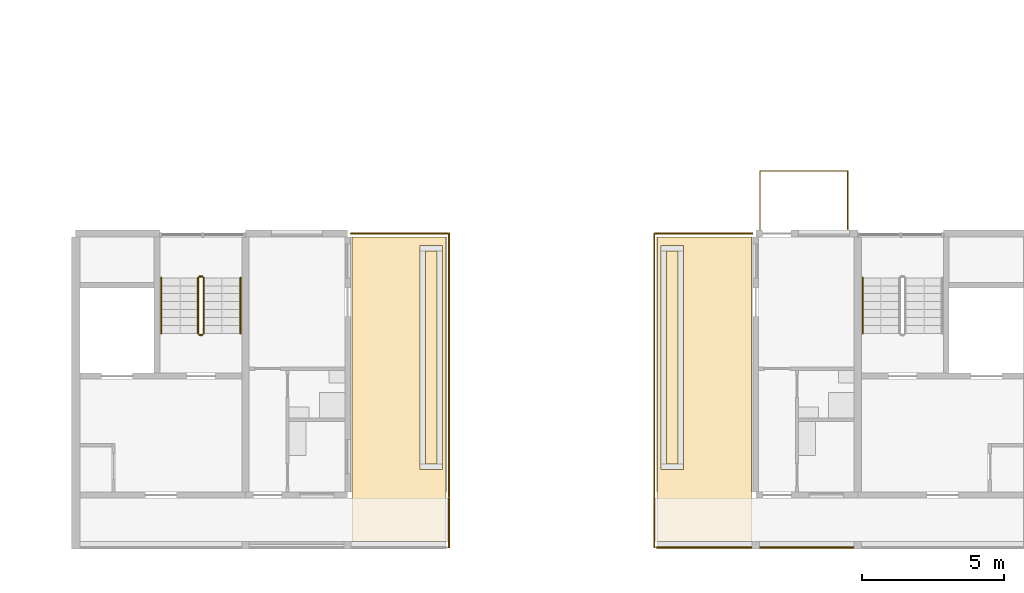
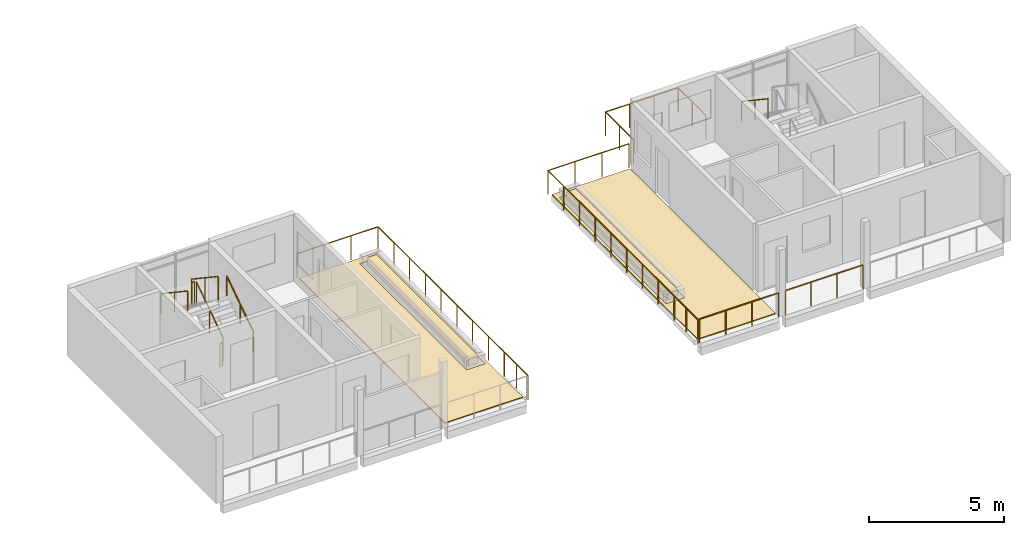
# One storey, part 35 of 41: 14 railings, 6 coverings.
"""IFC4 building model written with IfcOpenShell, lengths in metres."""

from ifc_helpers import new_model, si_unit, direction, frame, origin, origin_2d, place, context, subcontext, project, spatial, polyline, circle, outline, extrude, material, layer, layer_set, type_object, element, save


model = new_model("IFC4")

# Units and contexts
model_context = context("Model", 3, precision=1e-05, world=origin(), true_north=direction((0.0, 1.0)))
body_context = subcontext(model_context, "Body", "Model", "MODEL_VIEW")
ifc_project = project(units=[si_unit("LENGTHUNIT", "METRE"), si_unit("AREAUNIT", "SQUARE_METRE"), si_unit("VOLUMEUNIT", "CUBIC_METRE"), si_unit("PLANEANGLEUNIT", "RADIAN"), si_unit("MASSUNIT", "GRAM", prefix="KILO")], contexts=[model_context])

# Site, building, storey
site_placement = place(None, origin())
site = spatial("IfcSite", under=ifc_project, at=site_placement, CompositionType="ELEMENT")
building_placement = place(site_placement, origin())
building = spatial("IfcBuilding", under=site, at=building_placement, Name="Ridgestep Commons", CompositionType="ELEMENT")
storey_placement = place(building_placement, frame((0.0, 0.0, 39.0)))
storey = spatial("IfcBuildingStorey", under=building, at=storey_placement, Name="L13", CompositionType="ELEMENT", Elevation=39.0)

# Railings
ifc_material_1 = material(Name="Structural steel S355JR", Category="steel")
railing_type_1 = type_object("IfcRailingType", Name="Guard 1100", PredefinedType="GUARDRAIL", material=ifc_material_1)
railing_1_placement = place(storey_placement, frame((176.779052734375, 13.571044921875, 0.0)))
element("IfcRailing", 1, at=railing_1_placement, inside=storey, type_object=railing_type_1, Name="Guard TD-D2R2-GD", PredefinedType="GUARDRAIL", context=body_context, shape_type="SweptSolid", body=[
    extrude(circle(Radius=0.02392578125, at=origin_2d()), frame((0.0, 0.0, 1.076171875), z_axis=(0.0, 1.0, 0.0), x_axis=(-1.0, 0.0, 0.0)), (0.0, 0.0, 1.0), 9.303955078125),
    extrude(circle(Radius=0.02392578125, at=origin_2d()), frame((0.0, 9.303955078125, 1.076171875), z_axis=(-1.0, 0.0, 0.0), x_axis=(0.0, -1.0, 0.0)), (0.0, 0.0, 1.0), 3.4580078125),
    extrude(circle(Radius=0.02099609375, at=origin_2d()), origin(), (0.0, 0.0, 1.0), 1.052001953125),
    extrude(circle(Radius=0.02099609375, at=origin_2d()), frame((0.0, 1.1630859375, 0.0)), (0.0, 0.0, 1.0), 1.052001953125),
    extrude(circle(Radius=0.02099609375, at=origin_2d()), frame((0.0, 2.325927734375, 0.0)), (0.0, 0.0, 1.0), 1.052001953125),
    extrude(circle(Radius=0.02099609375, at=origin_2d()), frame((0.0, 3.489013671875, 0.0)), (0.0, 0.0, 1.0), 1.052001953125),
    extrude(circle(Radius=0.02099609375, at=origin_2d()), frame((0.0, 4.65185546875, 0.0)), (0.0, 0.0, 1.0), 1.052001953125),
    extrude(circle(Radius=0.02099609375, at=origin_2d()), frame((0.0, 5.81494140625, 0.0)), (0.0, 0.0, 1.0), 1.052001953125),
    extrude(circle(Radius=0.02099609375, at=origin_2d()), frame((0.0, 6.97802734375, 0.0)), (0.0, 0.0, 1.0), 1.052001953125),
    extrude(circle(Radius=0.02099609375, at=origin_2d()), frame((0.0, 8.140869140625, 0.0)), (0.0, 0.0, 1.0), 1.052001953125),
    extrude(circle(Radius=0.02099609375, at=origin_2d()), frame((0.0, 9.303955078125, 0.0)), (0.0, 0.0, 1.0), 1.052001953125),
    extrude(circle(Radius=0.02099609375, at=origin_2d()), frame((-1.152587890625, 9.303955078125, 0.0)), (0.0, 0.0, 1.0), 1.052001953125),
    extrude(circle(Radius=0.02099609375, at=origin_2d()), frame((-2.305419921875, 9.303955078125, 0.0)), (0.0, 0.0, 1.0), 1.052001953125),
    extrude(circle(Radius=0.02099609375, at=origin_2d()), frame((-3.4580078125, 9.303955078125, 0.0)), (0.0, 0.0, 1.0), 1.052001953125),
])
railing_2_placement = place(storey_placement, frame((184.02099609375, 13.571044921875, 0.0)))
element("IfcRailing", 2, at=railing_2_placement, inside=storey, type_object=railing_type_1, Name="Guard TD-D3R2-GD", PredefinedType="GUARDRAIL", context=body_context, shape_type="SweptSolid", body=[
    extrude(circle(Radius=0.02392578125, at=origin_2d()), frame((0.0, 0.0, 1.076171875), z_axis=(0.0, 1.0, 0.0), x_axis=(-1.0, 0.0, 0.0)), (0.0, 0.0, 1.0), 9.303955078125),
    extrude(circle(Radius=0.02392578125, at=origin_2d()), frame((0.0, 9.303955078125, 1.076171875), z_axis=(1.0, 0.0, 0.0), x_axis=(0.0, 1.0, 0.0)), (0.0, 0.0, 1.0), 3.4580078125),
    extrude(circle(Radius=0.02099609375, at=origin_2d()), origin(), (0.0, 0.0, 1.0), 1.052001953125),
    extrude(circle(Radius=0.02099609375, at=origin_2d()), frame((0.0, 1.1630859375, 0.0)), (0.0, 0.0, 1.0), 1.052001953125),
    extrude(circle(Radius=0.02099609375, at=origin_2d()), frame((0.0, 2.325927734375, 0.0)), (0.0, 0.0, 1.0), 1.052001953125),
    extrude(circle(Radius=0.02099609375, at=origin_2d()), frame((0.0, 3.489013671875, 0.0)), (0.0, 0.0, 1.0), 1.052001953125),
    extrude(circle(Radius=0.02099609375, at=origin_2d()), frame((0.0, 4.65185546875, 0.0)), (0.0, 0.0, 1.0), 1.052001953125),
    extrude(circle(Radius=0.02099609375, at=origin_2d()), frame((0.0, 5.81494140625, 0.0)), (0.0, 0.0, 1.0), 1.052001953125),
    extrude(circle(Radius=0.02099609375, at=origin_2d()), frame((0.0, 6.97802734375, 0.0)), (0.0, 0.0, 1.0), 1.052001953125),
    extrude(circle(Radius=0.02099609375, at=origin_2d()), frame((0.0, 8.140869140625, 0.0)), (0.0, 0.0, 1.0), 1.052001953125),
    extrude(circle(Radius=0.02099609375, at=origin_2d()), frame((0.0, 9.303955078125, 0.0)), (0.0, 0.0, 1.0), 1.052001953125),
    extrude(circle(Radius=0.02099609375, at=origin_2d()), frame((1.152587890625, 9.303955078125, 0.0)), (0.0, 0.0, 1.0), 1.052001953125),
    extrude(circle(Radius=0.02099609375, at=origin_2d()), frame((2.305419921875, 9.303955078125, 0.0)), (0.0, 0.0, 1.0), 1.052001953125),
    extrude(circle(Radius=0.02099609375, at=origin_2d()), frame((3.4580078125, 9.303955078125, 0.0)), (0.0, 0.0, 1.0), 1.052001953125),
])
railing_3_placement = place(storey_placement, frame((176.779052734375, 11.800048828125, 0.0)))
element("IfcRailing", 3, at=railing_3_placement, inside=storey, type_object=railing_type_1, Name="Gallery end guard D 13.3E", PredefinedType="GUARDRAIL", context=body_context, shape_type="SweptSolid", body=[
    extrude(circle(Radius=0.02392578125, at=origin_2d()), frame((0.0, 0.0, 1.076171875), z_axis=(0.0, 1.0, 0.0), x_axis=(-1.0, 0.0, 0.0)), (0.0, 0.0, 1.0), 1.72900390625),
    extrude(circle(Radius=0.02099609375, at=origin_2d()), origin(), (0.0, 0.0, 1.0), 1.052001953125),
    extrude(circle(Radius=0.02099609375, at=origin_2d()), frame((0.0, 0.864501953125, 0.0)), (0.0, 0.0, 1.0), 1.052001953125),
    extrude(circle(Radius=0.02099609375, at=origin_2d()), frame((0.0, 1.72900390625, 0.0)), (0.0, 0.0, 1.0), 1.052001953125),
])
railing_4_placement = place(storey_placement, frame((184.083984375, 11.800048828125, 0.0)))
element("IfcRailing", 4, at=railing_4_placement, inside=storey, type_object=railing_type_1, Name="Gallery guard D 13.1", PredefinedType="GUARDRAIL", context=body_context, shape_type="SweptSolid", body=[
    extrude(circle(Radius=0.02392578125, at=origin_2d()), frame((0.0, 0.0, 1.076171875), z_axis=(1.0, 0.0, 0.0), x_axis=(0.0, 1.0, 0.0)), (0.0, 0.0, 1.0), 3.3701171875),
    extrude(circle(Radius=0.02099609375, at=origin_2d()), origin(), (0.0, 0.0, 1.0), 1.052001953125),
    extrude(circle(Radius=0.02099609375, at=origin_2d()), frame((1.123291015625, 0.0, 0.0)), (0.0, 0.0, 1.0), 1.052001953125),
    extrude(circle(Radius=0.02099609375, at=origin_2d()), frame((2.246826171875, 0.0, 0.0)), (0.0, 0.0, 1.0), 1.052001953125),
    extrude(circle(Radius=0.02099609375, at=origin_2d()), frame((3.3701171875, 0.0, 0.0)), (0.0, 0.0, 1.0), 1.052001953125),
])
railing_5_placement = place(storey_placement, frame((184.02099609375, 11.800048828125, 0.0)))
element("IfcRailing", 5, at=railing_5_placement, inside=storey, type_object=railing_type_1, Name="Gallery end guard D 13.1W", PredefinedType="GUARDRAIL", context=body_context, shape_type="SweptSolid", body=[
    extrude(circle(Radius=0.02392578125, at=origin_2d()), frame((0.0, 0.0, 1.076171875), z_axis=(0.0, 1.0, 0.0), x_axis=(-1.0, 0.0, 0.0)), (0.0, 0.0, 1.0), 1.72900390625),
    extrude(circle(Radius=0.02099609375, at=origin_2d()), origin(), (0.0, 0.0, 1.0), 1.052001953125),
    extrude(circle(Radius=0.02099609375, at=origin_2d()), frame((0.0, 0.864501953125, 0.0)), (0.0, 0.0, 1.0), 1.052001953125),
    extrude(circle(Radius=0.02099609375, at=origin_2d()), frame((0.0, 1.72900390625, 0.0)), (0.0, 0.0, 1.0), 1.052001953125),
])
railing_6_placement = place(storey_placement, frame((187.74609375, 11.800048828125, 0.0)))
element("IfcRailing", 6, at=railing_6_placement, inside=storey, type_object=railing_type_1, Name="Gallery guard D 13.2", PredefinedType="GUARDRAIL", context=body_context, shape_type="SweptSolid", body=[
    extrude(circle(Radius=0.02392578125, at=origin_2d()), frame((0.0, 0.0, 1.076171875), z_axis=(1.0, 0.0, 0.0), x_axis=(0.0, 1.0, 0.0)), (0.0, 0.0, 1.0), 3.307861328125),
    extrude(circle(Radius=0.02099609375, at=origin_2d()), origin(), (0.0, 0.0, 1.0), 1.052001953125),
    extrude(circle(Radius=0.02099609375, at=origin_2d()), frame((1.1025390625, 0.0, 0.0)), (0.0, 0.0, 1.0), 1.052001953125),
    extrude(circle(Radius=0.02099609375, at=origin_2d()), frame((2.205322265625, 0.0, 0.0)), (0.0, 0.0, 1.0), 1.052001953125),
    extrude(circle(Radius=0.02099609375, at=origin_2d()), frame((3.307861328125, 0.0, 0.0)), (0.0, 0.0, 1.0), 1.052001953125),
])

# Coverings
ifc_material_2 = material(Name="Planting soil")
ifc_layer_1 = layer(ifc_material_2, 0.35009765625)
ifc_layer_set_1 = layer_set([ifc_layer_1], Name="Planting soil 350")
covering_type_1 = type_object("IfcCoveringType", Name="Planting soil 350", PredefinedType="FLOORING", material=ifc_layer_set_1)
covering_1_placement = place(storey_placement, frame((0.0, 0.0, 0.010009765625)))
element("IfcCovering", 7, at=covering_1_placement, inside=storey, type_object=covering_type_1, Name="Planting soil D2R2", PredefinedType="FLOORING", context=body_context, shape_type="SweptSolid", body=[
    extrude(outline(polyline([(175.949951171875, 14.75), (176.35009765625, 14.75), (176.35009765625, 22.25), (175.949951171875, 22.25), (175.949951171875, 14.75)])), origin(), (0.0, 0.0, 1.0), 0.35009765625),
])
covering_2_placement = place(storey_placement, frame((0.0, 0.0, 0.010009765625)))
element("IfcCovering", 8, at=covering_2_placement, inside=storey, type_object=covering_type_1, Name="Planting soil D3R2", PredefinedType="FLOORING", context=body_context, shape_type="SweptSolid", body=[
    extrude(outline(polyline([(184.449951171875, 14.75), (184.85009765625, 14.75), (184.85009765625, 22.25), (184.449951171875, 22.25), (184.449951171875, 14.75)])), origin(), (0.0, 0.0, 1.0), 0.35009765625),
])

# Railings
ifc_material_3 = material(Name="Structural steel S355JR", Category="steel")
railing_type_2 = type_object("IfcRailingType", Name="Stair guard 1100", PredefinedType="GUARDRAIL", material=ifc_material_3)
railing_7_placement = place(storey_placement, frame((168.125, 19.35009765625, 0.1875)))
element("IfcRailing", 9, at=railing_7_placement, inside=storey, type_object=railing_type_2, Name="L13 D2C stair guard 1", PredefinedType="GUARDRAIL", context=body_context, shape_type="SweptSolid", body=[
    extrude(circle(Radius=0.02392578125, at=origin_2d()), frame((0.0, 0.0, 1.076171875), z_axis=(0.0, 0.830902050051, 0.556418712142), x_axis=(-1.0, 0.0, 0.0)), (0.0, 0.0, 1.0), 2.35888671875),
    extrude(circle(Radius=0.02099609375, at=origin_2d()), origin(), (0.0, 0.0, 1.0), 1.052001953125),
    extrude(circle(Radius=0.02099609375, at=origin_2d()), frame((0.0, 0.97998046875, 0.65625)), (0.0, 0.0, 1.0), 1.052001953125),
    extrude(circle(Radius=0.02099609375, at=origin_2d()), frame((0.0, 1.9599609375, 1.3125)), (0.0, 0.0, 1.0), 1.052001953125),
])
railing_8_placement = place(storey_placement, frame((168.074951171875, 21.360107421875, 1.5)))
element("IfcRailing", 10, at=railing_8_placement, inside=storey, type_object=railing_type_2, Name="L13 D2C stair guard 2", PredefinedType="GUARDRAIL", context=body_context, shape_type="SweptSolid", body=[
    extrude(circle(Radius=0.02392578125, at=origin_2d()), frame((0.0, 0.0, 1.076171875), z_axis=(-1.0, 0.0, 0.0), x_axis=(0.0, -1.0, 0.0)), (0.0, 0.0, 1.0), 0.099853515625),
    extrude(circle(Radius=0.02099609375, at=origin_2d()), origin(), (0.0, 0.0, 1.0), 1.052001953125),
    extrude(circle(Radius=0.02099609375, at=origin_2d()), frame((-0.099853515625, 0.0, 0.0)), (0.0, 0.0, 1.0), 1.052001953125),
])
railing_9_placement = place(storey_placement, frame((167.925048828125, 21.31005859375, 1.6875)))
element("IfcRailing", 11, at=railing_9_placement, inside=storey, type_object=railing_type_2, Name="L13 D2C stair guard 3", PredefinedType="GUARDRAIL", context=body_context, shape_type="SweptSolid", body=[
    extrude(circle(Radius=0.02392578125, at=origin_2d()), frame((0.0, 0.0, 1.076171875), z_axis=(0.0, -0.830902050051, 0.556418712142), x_axis=(1.0, 0.0, 0.0)), (0.0, 0.0, 1.0), 2.35888671875),
    extrude(circle(Radius=0.02099609375, at=origin_2d()), origin(), (0.0, 0.0, 1.0), 1.052001953125),
    extrude(circle(Radius=0.02099609375, at=origin_2d()), frame((0.0, -0.97998046875, 0.65625)), (0.0, 0.0, 1.0), 1.052001953125),
    extrude(circle(Radius=0.02099609375, at=origin_2d()), frame((0.0, -1.9599609375, 1.3125)), (0.0, 0.0, 1.0), 1.052001953125),
])
railing_10_placement = place(storey_placement, frame((168.074951171875, 19.300048828125, 0.0)))
element("IfcRailing", 12, at=railing_10_placement, inside=storey, type_object=railing_type_2, Name="L13 D2C stair guard 4", PredefinedType="GUARDRAIL", context=body_context, shape_type="SweptSolid", body=[
    extrude(circle(Radius=0.02392578125, at=origin_2d()), frame((0.0, 0.0, 1.076171875), z_axis=(-1.0, 0.0, 0.0), x_axis=(0.0, -1.0, 0.0)), (0.0, 0.0, 1.0), 0.099853515625),
    extrude(circle(Radius=0.02099609375, at=origin_2d()), origin(), (0.0, 0.0, 1.0), 1.052001953125),
    extrude(circle(Radius=0.02099609375, at=origin_2d()), frame((-0.099853515625, 0.0, 0.0)), (0.0, 0.0, 1.0), 1.052001953125),
])
ifc_material_4 = material(Name="Structural steel S355JR", Category="steel")
railing_type_3 = type_object("IfcRailingType", Name="Stair handrail 900", PredefinedType="HANDRAIL", material=ifc_material_4)
railing_11_placement = place(storey_placement, frame((169.425048828125, 19.35009765625, 0.1875)))
element("IfcRailing", 13, at=railing_11_placement, inside=storey, type_object=railing_type_3, Name="L13 D2C stair handrail 1", PredefinedType="HANDRAIL", context=body_context, shape_type="SweptSolid", body=[
    extrude(circle(Radius=0.02392578125, at=origin_2d()), frame((0.0, 0.0, 0.8759765625), z_axis=(0.0, 0.830902050051, 0.556418712142), x_axis=(-1.0, 0.0, 0.0)), (0.0, 0.0, 1.0), 2.35888671875),
    extrude(circle(Radius=0.02099609375, at=origin_2d()), origin(), (0.0, 0.0, 1.0), 0.851806640625),
    extrude(circle(Radius=0.02099609375, at=origin_2d()), frame((0.0, 0.97998046875, 0.65625)), (0.0, 0.0, 1.0), 0.851806640625),
    extrude(circle(Radius=0.02099609375, at=origin_2d()), frame((0.0, 1.9599609375, 1.3125)), (0.0, 0.0, 1.0), 0.851806640625),
])
for number, where, name in (
    (14, (166.625, 21.31005859375, 1.6875), "L13 D2C stair handrail 2"),
    (15, (191.375, 21.31005859375, 1.6875), "L13 D3C stair handrail 2"),
):
    element("IfcRailing", number, at=place(storey_placement, frame(where)), inside=storey, type_object=railing_type_3, Name=name, PredefinedType="HANDRAIL", context=body_context, shape_type="SweptSolid", body=[
        extrude(circle(Radius=0.02392578125, at=origin_2d()), frame((0.0, 0.0, 0.8759765625), z_axis=(0.0, -0.830902050051, 0.556418712142), x_axis=(1.0, 0.0, 0.0)), (0.0, 0.0, 1.0), 2.35888671875),
        extrude(circle(Radius=0.02099609375, at=origin_2d()), origin(), (0.0, 0.0, 1.0), 0.851806640625),
        extrude(circle(Radius=0.02099609375, at=origin_2d()), frame((0.0, -0.97998046875, 0.65625)), (0.0, 0.0, 1.0), 0.851806640625),
        extrude(circle(Radius=0.02099609375, at=origin_2d()), frame((0.0, -1.9599609375, 1.3125)), (0.0, 0.0, 1.0), 0.851806640625),
    ])

# Coverings
ifc_material_5 = material(Name="Bitumen membrane, two layer")
ifc_layer_2 = layer(ifc_material_5, 0.010009765625)
ifc_layer_set_2 = layer_set([ifc_layer_2], Name="Terrace membrane 10")
covering_type_2 = type_object("IfcCoveringType", Name="Terrace membrane 10", PredefinedType="ROOFING", material=ifc_layer_set_2)
covering_3_placement = place(storey_placement, origin())
element("IfcCovering", 16, at=covering_3_placement, inside=storey, type_object=covering_type_2, Name="Terrace membrane D2R2", PredefinedType="ROOFING", context=body_context, shape_type="SweptSolid", body=[
    extrude(outline(polyline([(176.675048828125, 12.0), (176.675048828125, 22.75), (173.35009765625, 22.75), (173.35009765625, 12.0), (176.675048828125, 12.0)]), holes=[polyline([(176.550048828125, 14.550048828125), (176.550048828125, 22.449951171875), (175.75, 22.449951171875), (175.75, 14.550048828125), (176.550048828125, 14.550048828125)])]), origin(), (0.0, 0.0, 1.0), 0.010009765625),
])
covering_4_placement = place(storey_placement, origin())
element("IfcCovering", 17, at=covering_4_placement, inside=storey, type_object=covering_type_2, Name="Terrace membrane D3R2", PredefinedType="ROOFING", context=body_context, shape_type="SweptSolid", body=[
    extrude(outline(polyline([(187.449951171875, 12.0), (187.449951171875, 22.75), (184.125, 22.75), (184.125, 12.0), (187.449951171875, 12.0)]), holes=[polyline([(185.050048828125, 14.550048828125), (185.050048828125, 22.449951171875), (184.25, 22.449951171875), (184.25, 14.550048828125), (185.050048828125, 14.550048828125)])]), origin(), (0.0, 0.0, 1.0), 0.010009765625),
])
ifc_material_6 = material(Name="Concrete paving slab", Category="concrete")
ifc_layer_3 = layer(ifc_material_6, 0.030029296875)
ifc_layer_set_3 = layer_set([ifc_layer_3], Name="Terrace paving 30")
covering_type_3 = type_object("IfcCoveringType", Name="Terrace paving 30", PredefinedType="FLOORING", material=ifc_layer_set_3)
covering_5_placement = place(storey_placement, frame((0.0, 0.0, 0.010009765625)))
element("IfcCovering", 18, at=covering_5_placement, inside=storey, type_object=covering_type_3, Name="Terrace paving D2R2", PredefinedType="FLOORING", context=body_context, shape_type="SweptSolid", body=[
    extrude(outline(polyline([(176.675048828125, 12.0), (176.675048828125, 22.75), (173.35009765625, 22.75), (173.35009765625, 12.0), (176.675048828125, 12.0)]), holes=[polyline([(176.550048828125, 14.550048828125), (176.550048828125, 22.449951171875), (175.75, 22.449951171875), (175.75, 14.550048828125), (176.550048828125, 14.550048828125)])]), origin(), (0.0, 0.0, 1.0), 0.030029296875),
])
covering_6_placement = place(storey_placement, frame((0.0, 0.0, 0.010009765625)))
element("IfcCovering", 19, at=covering_6_placement, inside=storey, type_object=covering_type_3, Name="Terrace paving D3R2", PredefinedType="FLOORING", context=body_context, shape_type="SweptSolid", body=[
    extrude(outline(polyline([(187.449951171875, 12.0), (187.449951171875, 22.75), (184.125, 22.75), (184.125, 12.0), (187.449951171875, 12.0)]), holes=[polyline([(185.050048828125, 14.550048828125), (185.050048828125, 22.449951171875), (184.25, 22.449951171875), (184.25, 14.550048828125), (185.050048828125, 14.550048828125)])]), origin(), (0.0, 0.0, 1.0), 0.030029296875),
])

# Railing
ifc_material_7 = material(Name="Weathering steel S355J2W", Category="steel")
railing_type_4 = type_object("IfcRailingType", Name="Tray guard 1100", PredefinedType="GUARDRAIL", material=ifc_material_7)
railing_12_placement = place(storey_placement, frame((187.7509765625, 23.02099609375, 0.0)))
element("IfcRailing", 20, at=railing_12_placement, inside=storey, type_object=railing_type_4, Name="Tray guard D3T3-13", PredefinedType="GUARDRAIL", context=body_context, shape_type="SweptSolid", body=[
    extrude(circle(Radius=0.02392578125, at=origin_2d()), frame((0.0, 0.0, 1.076171875), z_axis=(0.0, 1.0, 0.0), x_axis=(-1.0, 0.0, 0.0)), (0.0, 0.0, 1.0), 2.05810546875),
    extrude(circle(Radius=0.02392578125, at=origin_2d()), frame((0.0, 2.05810546875, 1.076171875), z_axis=(1.0, 0.0, 0.0), x_axis=(0.0, 1.0, 0.0)), (0.0, 0.0, 1.0), 3.09814453125),
    extrude(circle(Radius=0.02392578125, at=origin_2d()), frame((3.09814453125, 2.05810546875, 1.076171875), z_axis=(0.0, -1.0, 0.0), x_axis=(1.0, 0.0, 0.0)), (0.0, 0.0, 1.0), 2.05810546875),
    extrude(circle(Radius=0.02099609375, at=origin_2d()), origin(), (0.0, 0.0, 1.0), 1.052001953125),
    extrude(circle(Radius=0.02099609375, at=origin_2d()), frame((0.0, 1.029052734375, 0.0)), (0.0, 0.0, 1.0), 1.052001953125),
    extrude(circle(Radius=0.02099609375, at=origin_2d()), frame((0.0, 2.05810546875, 0.0)), (0.0, 0.0, 1.0), 1.052001953125),
    extrude(circle(Radius=0.02099609375, at=origin_2d()), frame((1.03271484375, 2.05810546875, 0.0)), (0.0, 0.0, 1.0), 1.052001953125),
    extrude(circle(Radius=0.02099609375, at=origin_2d()), frame((2.0654296875, 2.05810546875, 0.0)), (0.0, 0.0, 1.0), 1.052001953125),
    extrude(circle(Radius=0.02099609375, at=origin_2d()), frame((3.09814453125, 2.05810546875, 0.0)), (0.0, 0.0, 1.0), 1.052001953125),
    extrude(circle(Radius=0.02099609375, at=origin_2d()), frame((3.09814453125, 1.029052734375, 0.0)), (0.0, 0.0, 1.0), 1.052001953125),
    extrude(circle(Radius=0.02099609375, at=origin_2d()), frame((3.09814453125, 0.0, 0.0)), (0.0, 0.0, 1.0), 1.052001953125),
])

save(model, "model.ifc")
